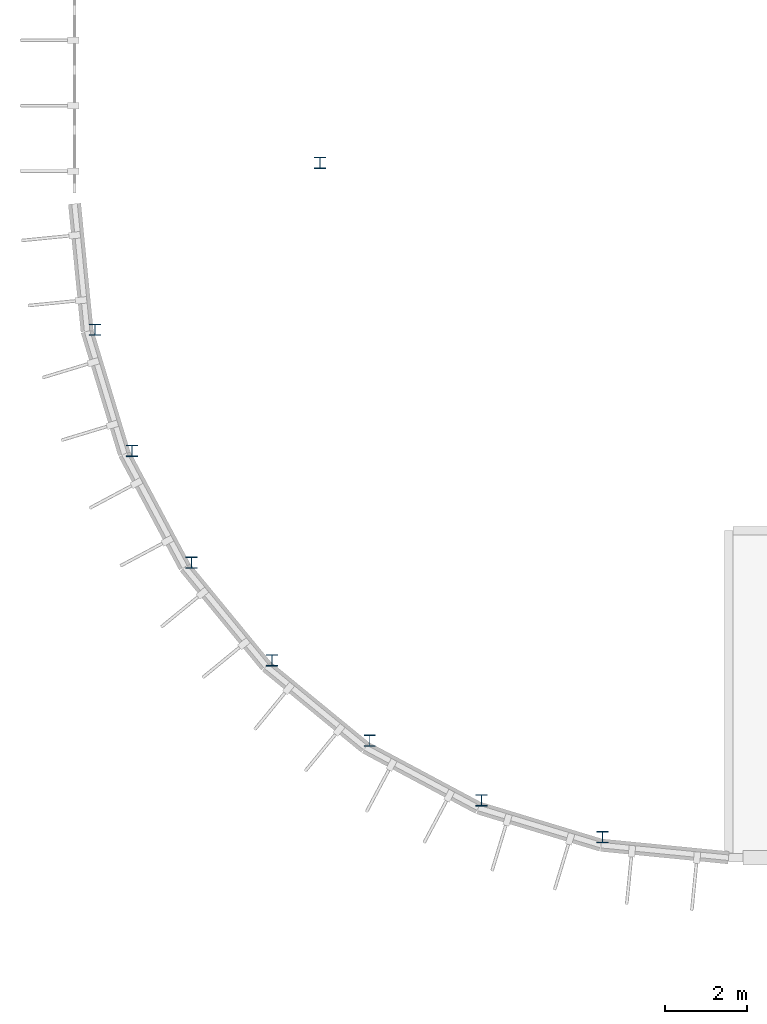
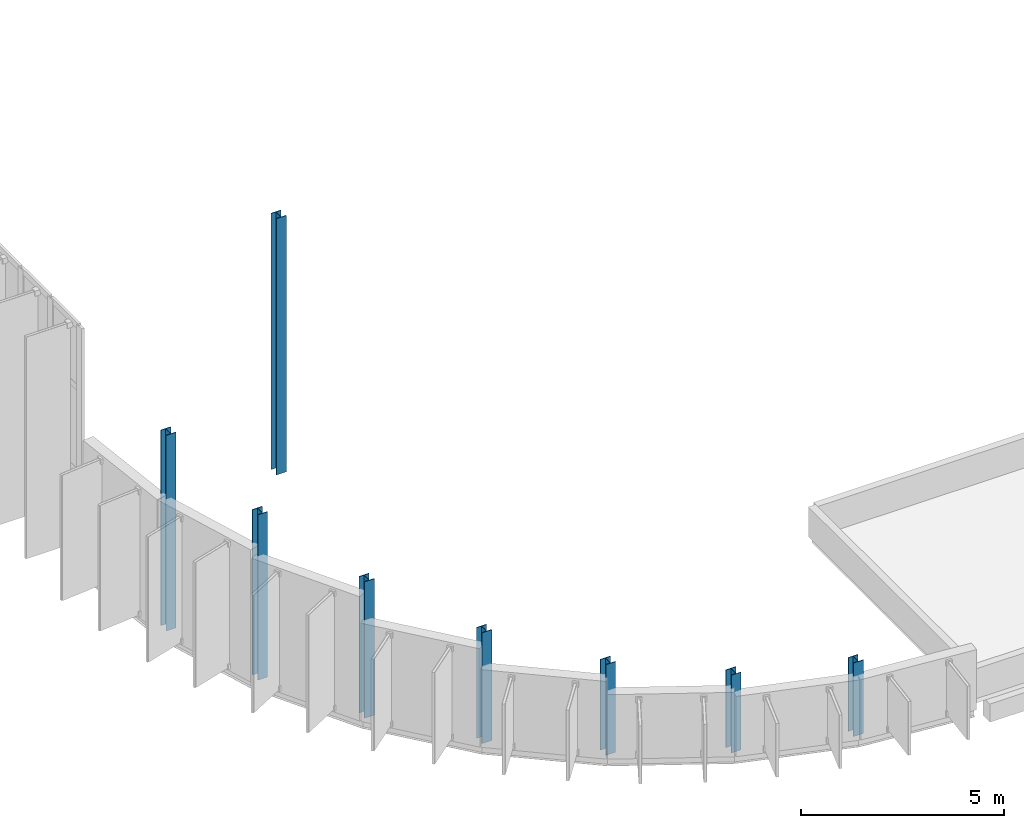
# One storey, part 1 of 38: 8 columns.
"""IFC4 building model written with IfcOpenShell, lengths in metres."""

from ifc_helpers import new_model, si_unit, direction, frame, origin, origin_2d, place, context, subcontext, project, spatial, i_section, extrude, material, material_profile, profile_set, type_object, element, save


model = new_model("IFC4")

# Units and contexts
model_context = context("Model", 3, precision=1e-05, world=origin(), true_north=direction((0.0, 1.0)))
body_context = subcontext(model_context, "Body", "Model", "MODEL_VIEW")
ifc_project = project(units=[si_unit("LENGTHUNIT", "METRE"), si_unit("AREAUNIT", "SQUARE_METRE"), si_unit("VOLUMEUNIT", "CUBIC_METRE"), si_unit("PLANEANGLEUNIT", "RADIAN"), si_unit("MASSUNIT", "GRAM", prefix="KILO")], contexts=[model_context])

# Site, building, storey
site_placement = place(None, origin())
site = spatial("IfcSite", under=ifc_project, at=site_placement, CompositionType="ELEMENT")
building_placement = place(site_placement, origin())
building = spatial("IfcBuilding", under=site, at=building_placement, Name="Drelvana Railside Aquatics Centre", CompositionType="ELEMENT")
storey_placement = place(building_placement, frame((0.0, 0.0, 14.39990234375)))
storey = spatial("IfcBuildingStorey", under=building, at=storey_placement, Name="L03", CompositionType="ELEMENT", Elevation=14.39990234375)

# Columns
ifc_material = material(Name="Structural steel S355", Category="steel")
ifc_material_profile = material_profile(ifc_material, i_section(OverallWidth=0.280029296875, OverallDepth=0.280029296875, WebThickness=0.010498046875, FlangeThickness=0.01806640625, at=origin_2d()), Name="HEB 280")
ifc_profile_set = profile_set([ifc_material_profile], Name="Structural steel S355")
column_type = type_object("IfcColumnType", Name="STR-SCOL-HEB-280", PredefinedType="COLUMN", material=ifc_profile_set)
column_1_placement = place(storey_placement, frame((0.503662109375, 28.91748046875, -0.2998046875), z_axis=(0.0, 0.0, 1.0), x_axis=(1.0, 0.0, 0.0)))
element("IfcColumn", 1, at=column_1_placement, inside=storey, type_object=column_type, Name="V1SW curved chord column 1 (L03)", PredefinedType="COLUMN", context=body_context, shape_type="SweptSolid", body=[
    extrude(i_section(OverallWidth=0.280029296875, OverallDepth=0.280029296875, WebThickness=0.010498046875, FlangeThickness=0.01806640625, at=origin_2d()), origin(), (0.0, 0.0, 1.0), 5.8896484375),
])
column_2_placement = place(storey_placement, frame((1.402587890625, 25.95361328125, -0.2998046875), z_axis=(0.0, 0.0, 1.0), x_axis=(1.0, 0.0, 0.0)))
element("IfcColumn", 2, at=column_2_placement, inside=storey, type_object=column_type, Name="V1SW curved chord column 2 (L03)", PredefinedType="COLUMN", context=body_context, shape_type="SweptSolid", body=[
    extrude(i_section(OverallWidth=0.280029296875, OverallDepth=0.280029296875, WebThickness=0.010498046875, FlangeThickness=0.01806640625, at=origin_2d()), origin(), (0.0, 0.0, 1.0), 4.98046875),
])
column_3_placement = place(storey_placement, frame((2.86279296875, 23.221923828125, -0.2998046875), z_axis=(0.0, 0.0, 1.0), x_axis=(1.0, 0.0, 0.0)))
element("IfcColumn", 3, at=column_3_placement, inside=storey, type_object=column_type, Name="V1SW curved chord column 3 (L03)", PredefinedType="COLUMN", context=body_context, shape_type="SweptSolid", body=[
    extrude(i_section(OverallWidth=0.280029296875, OverallDepth=0.280029296875, WebThickness=0.010498046875, FlangeThickness=0.01806640625, at=origin_2d()), origin(), (0.0, 0.0, 1.0), 4.10888671875),
])
column_4_placement = place(storey_placement, frame((4.82763671875, 20.82763671875, -0.2998046875), z_axis=(0.0, 0.0, 1.0), x_axis=(1.0, 0.0, 0.0)))
element("IfcColumn", 4, at=column_4_placement, inside=storey, type_object=column_type, Name="V1SW curved chord column 4 (L03)", PredefinedType="COLUMN", context=body_context, shape_type="SweptSolid", body=[
    extrude(i_section(OverallWidth=0.280029296875, OverallDepth=0.280029296875, WebThickness=0.010498046875, FlangeThickness=0.01806640625, at=origin_2d()), origin(), (0.0, 0.0, 1.0), 3.3369140625),
])
column_5_placement = place(storey_placement, frame((7.221923828125, 18.86279296875, -0.2998046875), z_axis=(0.0, 0.0, 1.0), x_axis=(1.0, 0.0, 0.0)))
element("IfcColumn", 5, at=column_5_placement, inside=storey, type_object=column_type, Name="V1SW curved chord column 5 (L03)", PredefinedType="COLUMN", context=body_context, shape_type="SweptSolid", body=[
    extrude(i_section(OverallWidth=0.280029296875, OverallDepth=0.280029296875, WebThickness=0.010498046875, FlangeThickness=0.01806640625, at=origin_2d()), origin(), (0.0, 0.0, 1.0), 2.728515625),
])
column_6_placement = place(storey_placement, frame((9.95361328125, 17.402587890625, -0.2998046875), z_axis=(0.0, 0.0, 1.0), x_axis=(1.0, 0.0, 0.0)))
element("IfcColumn", 6, at=column_6_placement, inside=storey, type_object=column_type, Name="V1SW curved chord column 6 (L03)", PredefinedType="COLUMN", context=body_context, shape_type="SweptSolid", body=[
    extrude(i_section(OverallWidth=0.280029296875, OverallDepth=0.280029296875, WebThickness=0.010498046875, FlangeThickness=0.01806640625, at=origin_2d()), origin(), (0.0, 0.0, 1.0), 2.34033203125),
])
column_7_placement = place(storey_placement, frame((12.91748046875, 16.503662109375, -0.2998046875), z_axis=(0.0, 0.0, 1.0), x_axis=(1.0, 0.0, 0.0)))
element("IfcColumn", 7, at=column_7_placement, inside=storey, type_object=column_type, Name="V1SW curved chord column 7 (L03)", PredefinedType="COLUMN", context=body_context, shape_type="SweptSolid", body=[
    extrude(i_section(OverallWidth=0.280029296875, OverallDepth=0.280029296875, WebThickness=0.010498046875, FlangeThickness=0.01806640625, at=origin_2d()), origin(), (0.0, 0.0, 1.0), 2.216552734375),
])
column_8_placement = place(storey_placement, frame((6.0, 33.0, 0.0), z_axis=(0.0, 0.0, 1.0), x_axis=(1.0, 0.0, 0.0)))
element("IfcColumn", 8, at=column_8_placement, inside=storey, type_object=column_type, Name="Gridshell west end rafter column Y33 (L03)", PredefinedType="COLUMN", context=body_context, shape_type="SweptSolid", body=[
    extrude(i_section(OverallWidth=0.280029296875, OverallDepth=0.280029296875, WebThickness=0.010498046875, FlangeThickness=0.01806640625, at=origin_2d()), origin(), (0.0, 0.0, 1.0), 7.71875),
])

save(model, "model.ifc")
